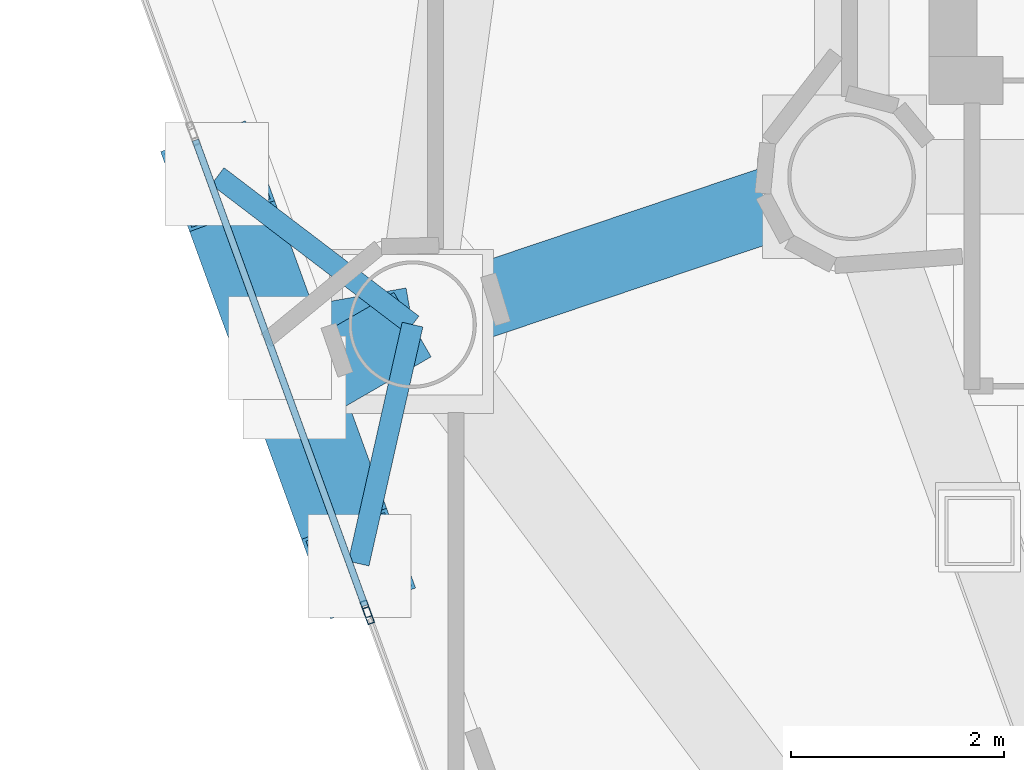
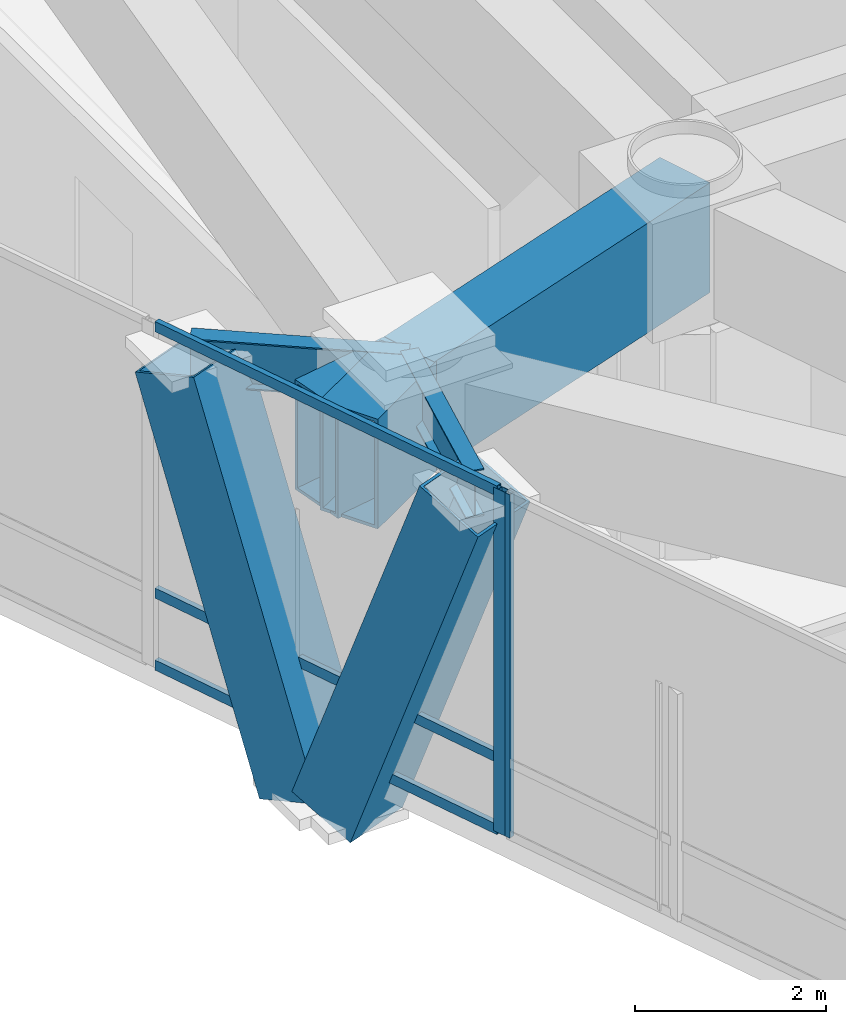
# One storey, part 3 of 20: 7 members, 5 beams, 2 elements without a shape of their own.
"""IFC4 building model written with IfcOpenShell, lengths in metres."""

import ifcopenshell
import ifcopenshell.guid

model = None  # the IFC model being written
_history = None  # IfcOwnerHistory: only IFC2X3 demands one
_inside = {}  # id of a spatial element -> (the spatial element, [elements in it])
_under = {}  # id of a project, library or spatial element -> (it, [spatial elements below it])
_declared = {}  # id of a project -> (the project, [libraries it declares])
_typed = {}  # id of a type object -> (the type object, [elements of that type])
_made_of = {}  # id of a material, layer set ... -> (it, [elements and type objects made of it])


def new_model(schema):
    """Start an empty IFC model of exactly this schema.

    Asked for "IFC4X3", IfcOpenShell would pick the latest addendum, in which some entities
    have other attributes; the version numbers below select the first issue.
    IFC2X3 requires an IfcOwnerHistory on every rooted entity: one is made here for all.
    """
    global model, _history
    if schema == "IFC4X3":
        model = ifcopenshell.file(schema_version=(4, 3, 0, 0))
    else:
        model = ifcopenshell.file(schema=schema)
    _inside.clear()
    _under.clear()
    _declared.clear()
    _typed.clear()
    _made_of.clear()
    _history = None
    if model.schema == "IFC2X3":
        org = make("IfcOrganization", Name="unknown")
        user = make(
            "IfcPersonAndOrganization",
            ThePerson=make("IfcPerson", FamilyName="unknown"),
            TheOrganization=org,
        )
        app = make(
            "IfcApplication",
            ApplicationDeveloper=org,
            Version="unknown",
            ApplicationFullName="unknown",
            ApplicationIdentifier="unknown",
        )
        _history = make(
            "IfcOwnerHistory",
            OwningUser=user,
            OwningApplication=app,
            ChangeAction="ADDED",
            CreationDate=0,
        )
    return model


def make(cls, **values):
    """One entity of the class cls with the attributes given. An attribute that is None is left unset."""
    return model.create_entity(
        cls, **{name: value for name, value in values.items() if value is not None}
    )


def rooted(cls, **values):
    """An entity with a GlobalId (a new one), such as an element, a storey or a relation."""
    return make(cls, GlobalId=ifcopenshell.guid.new(), OwnerHistory=_history, **values)


def si_unit(unit_type, name, prefix=None):
    """IfcSIUnit, for example si_unit("LENGTHUNIT", "METRE", prefix="MILLI")."""
    return make("IfcSIUnit", UnitType=unit_type, Prefix=prefix, Name=name)


def assignment(units):
    """IfcUnitAssignment: the units of a project."""
    return None if units is None else make("IfcUnitAssignment", Units=units)


def point(xyz):
    """IfcCartesianPoint."""
    return None if xyz is None else make("IfcCartesianPoint", Coordinates=xyz)


def direction(xyz):
    """IfcDirection."""
    return None if xyz is None else make("IfcDirection", DirectionRatios=xyz)


def frame(location, z_axis=None, x_axis=None):
    """IfcAxis2Placement3D, a coordinate frame: its origin and axes. An axis left out is left unset."""
    return make(
        "IfcAxis2Placement3D",
        Location=point(location),
        Axis=direction(z_axis),
        RefDirection=direction(x_axis),
    )


def frame_2d(location, x_axis=None):
    """IfcAxis2Placement2D, a coordinate frame in the plane: its origin and x axis."""
    return make(
        "IfcAxis2Placement2D", Location=point(location), RefDirection=direction(x_axis)
    )


def origin():
    """The frame at (0, 0, 0) with its axes left unset."""
    return frame((0.0, 0.0, 0.0))


def origin_2d():
    """The frame at (0, 0) in the plane with its x axis left unset."""
    return frame_2d((0.0, 0.0))


def place(relative_to, where):
    """IfcLocalPlacement: puts the frame where relative to a parent placement (None: the world)."""
    return make(
        "IfcLocalPlacement", PlacementRelTo=relative_to, RelativePlacement=where
    )


def context(
    kind, dimensions, precision=None, world=None, true_north=None, identifier=None
):
    """IfcGeometricRepresentationContext, for example the 3D "Model" context."""
    return make(
        "IfcGeometricRepresentationContext",
        ContextIdentifier=identifier,
        ContextType=kind,
        CoordinateSpaceDimension=dimensions,
        Precision=precision,
        WorldCoordinateSystem=world,
        TrueNorth=true_north,
    )


def subcontext(parent, identifier, kind, view, scale=None):
    """IfcGeometricRepresentationSubContext, for example "Body" below "Model"."""
    return make(
        "IfcGeometricRepresentationSubContext",
        ContextIdentifier=identifier,
        ContextType=kind,
        ParentContext=parent,
        TargetScale=scale,
        TargetView=view,
    )


def project(units=None, contexts=None):
    """IfcProject with its units and contexts."""
    return rooted(
        "IfcProject",
        Name="project",
        RepresentationContexts=contexts,
        UnitsInContext=assignment(units),
    )


def spatial(cls, under=None, at=None, **own):
    """A site, building, storey or space (cls), placed at a placement, below another one or the project."""
    s = rooted(cls, ObjectPlacement=at, **own)
    if under is not None:
        _under.setdefault(under.id(), (under, []))[1].append(s)
    return s


def profile(cls, at=None, kind="AREA", **sizes):
    """A parametric profile (cls). Its sizes go by their IFC names, for example OverallWidth=200.0."""
    return make(cls, ProfileType=kind, Position=at, **sizes)


def hollow_rectangle(**sizes):
    """IfcRectangleHollowProfileDef."""
    return profile("IfcRectangleHollowProfileDef", **sizes)


def i_section(**sizes):
    """IfcIShapeProfileDef."""
    return profile("IfcIShapeProfileDef", **sizes)


def extrude(swept, where, along, depth):
    """IfcExtrudedAreaSolid: the profile swept, set in the frame where, extruded along a direction by depth."""
    return make(
        "IfcExtrudedAreaSolid",
        SweptArea=swept,
        Position=where,
        ExtrudedDirection=direction(along),
        Depth=depth,
    )


def shape(context_of_items, identifier, shape_type, items):
    """IfcShapeRepresentation: the items that make up one representation, for example the "Body"."""
    return make(
        "IfcShapeRepresentation",
        ContextOfItems=context_of_items,
        RepresentationIdentifier=identifier,
        RepresentationType=shape_type,
        Items=items,
    )


def material(Name=None, Category=None):
    """IfcMaterial."""
    return make("IfcMaterial", Name=Name, Category=Category)


def layer(
    of_material, thickness, ventilated=None, Name=None, Category=None, Priority=None
):
    """IfcMaterialLayer: one layer of a wall or slab, of a material (None: an air gap)."""
    return make(
        "IfcMaterialLayer",
        Material=of_material,
        LayerThickness=thickness,
        IsVentilated=ventilated,
        Name=Name,
        Category=Category,
        Priority=Priority,
    )


def layer_set(layers, Name=None):
    """IfcMaterialLayerSet."""
    return make("IfcMaterialLayerSet", MaterialLayers=layers, LayerSetName=Name)


def material_profile(
    of_material, cross_section, Name=None, Category=None, Priority=None
):
    """IfcMaterialProfile: a cross section and its material."""
    return make(
        "IfcMaterialProfile",
        Name=Name,
        Material=of_material,
        Profile=cross_section,
        Priority=Priority,
        Category=Category,
    )


def profile_set(profiles, Name=None, composite=None):
    """IfcMaterialProfileSet."""
    return make(
        "IfcMaterialProfileSet",
        Name=Name,
        MaterialProfiles=profiles,
        CompositeProfile=composite,
    )


def made_of(thing, what):
    """Note that an element or type object is made of a material, layer set ...; save() writes the relation."""
    if what is not None:
        _made_of.setdefault(what.id(), (what, []))[1].append(thing)
    return thing


def type_object(cls, material=None, **own):
    """A type object (cls), such as IfcWallType, which elements share."""
    return made_of(rooted(cls, **own), material)


def element(
    cls,
    number,
    at=None,
    inside=None,
    cuts=None,
    type_object=None,
    material=None,
    context=None,
    identifier="Body",
    shape_type=None,
    held_by="IfcProductDefinitionShape",
    body=None,
    shapes=None,
    **own,
):
    """One element of the class cls, such as IfcWall. Its Tag is "e" and its number.

    at: its placement. inside: the storey or other place that contains it. cuts: it is an
    opening in that element (IfcRelVoidsElement). A single representation is given by context,
    identifier, shape_type and body (its items); several are given by shapes. held_by: the class
    of the entity that holds the representations. save() writes the other relations.
    """
    e = rooted(cls, Tag="e%d" % number, ObjectPlacement=at, **own)
    if body is not None:
        shapes = [shape(context, identifier, shape_type, body)]
    if shapes is not None:
        e.Representation = make(held_by, Representations=shapes)
    if inside is not None:
        _inside.setdefault(inside.id(), (inside, []))[1].append(e)
    if cuts is not None:
        rooted(
            "IfcRelVoidsElement", RelatingBuildingElement=cuts, RelatedOpeningElement=e
        )
    if type_object is not None:
        _typed.setdefault(type_object.id(), (type_object, []))[1].append(e)
    return made_of(e, material)


def aggregate(whole, parts):
    """IfcRelAggregates: a whole, such as a stair, and the parts it consists of."""
    return rooted("IfcRelAggregates", RelatingObject=whole, RelatedObjects=parts)


def save(model, path):
    """Write the relations noted so far, then the file.

    IfcRelAggregates (storeys below a building ...), IfcRelContainedInSpatialStructure (elements
    in a storey), IfcRelDefinesByType, IfcRelAssociatesMaterial and IfcRelDeclares: one each for
    every whole, place, type object, material and project.
    """
    for whole, parts in _under.values():
        aggregate(whole, parts)
    for where, things in _inside.values():
        rooted(
            "IfcRelContainedInSpatialStructure",
            RelatedElements=things,
            RelatingStructure=where,
        )
    for kind, things in _typed.values():
        rooted("IfcRelDefinesByType", RelatedObjects=things, RelatingType=kind)
    for what, things in _made_of.values():
        rooted("IfcRelAssociatesMaterial", RelatedObjects=things, RelatingMaterial=what)
    for by, libraries in _declared.values():
        rooted("IfcRelDeclares", RelatingContext=by, RelatedDefinitions=libraries)
    model.write(path)


model = new_model("IFC4")

# Units and contexts
model_context = context("Model", 3, precision=1e-05, world=origin(), true_north=direction((0.0, 1.0)))
body_context = subcontext(model_context, "Body", "Model", "MODEL_VIEW")
ifc_project = project(units=[si_unit("LENGTHUNIT", "METRE"), si_unit("AREAUNIT", "SQUARE_METRE"), si_unit("VOLUMEUNIT", "CUBIC_METRE"), si_unit("PLANEANGLEUNIT", "RADIAN"), si_unit("MASSUNIT", "GRAM", prefix="KILO")], contexts=[model_context])

# Site, building, storey
site_placement = place(None, origin())
site = spatial("IfcSite", under=ifc_project, at=site_placement, CompositionType="ELEMENT")
building_placement = place(site_placement, origin())
building = spatial("IfcBuilding", under=site, at=building_placement, Name="Qianvela Tower", CompositionType="ELEMENT")
storey_placement = place(building_placement, frame((0.0, 0.0, 229.89990234375)))
storey = spatial("IfcBuildingStorey", under=building, at=storey_placement, Name="L59", CompositionType="ELEMENT", Elevation=229.89990234375)

# Beams
ifc_material_1 = material(Name="Steel Q355B", Category="steel")
ifc_material_profile_1 = material_profile(ifc_material_1, i_section(OverallWidth=0.199951171875, OverallDepth=0.60009765625, WebThickness=0.010986328125, FlangeThickness=0.01708984375, at=origin_2d()), Name="HN600x200x11x17")
ifc_profile_set_1 = profile_set([ifc_material_profile_1], Name="Steel Q355B")
beam_type_1 = type_object("IfcBeamType", Name="BM-HN600-GIRD", PredefinedType="BEAM", material=ifc_profile_set_1)
beam_1_placement = place(storey_placement, frame((24.471923828125, 22.4599609375, 4.078125), z_axis=(-0.795604398122, 0.605816508267, 0.0), x_axis=(-0.605816508267, -0.795604398122, 0.0)))
element("IfcBeam", 1, at=beam_1_placement, inside=storey, type_object=beam_type_1, Name="L59 Mega-Brace Column Tie Bracket F2-1", PredefinedType="BEAM", context=body_context, shape_type="SweptSolid", body=[
    extrude(i_section(OverallWidth=0.199951171875, OverallDepth=0.60009765625, WebThickness=0.010986328125, FlangeThickness=0.01708984375, at=origin_2d()), origin(), (0.0, 0.0, 1.0), 2.303955078125),
])
beam_2_placement = place(storey_placement, frame((24.471923828125, 22.4599609375, 4.078125), z_axis=(-0.220003900881, -0.975498992105, 0.0), x_axis=(0.975498992105, -0.220003900881, 0.0)))
element("IfcBeam", 2, at=beam_2_placement, inside=storey, type_object=beam_type_1, Name="L59 Mega-Brace Column Tie Bracket F2-2", PredefinedType="BEAM", context=body_context, shape_type="SweptSolid", body=[
    extrude(i_section(OverallWidth=0.199951171875, OverallDepth=0.60009765625, WebThickness=0.010986328125, FlangeThickness=0.01708984375, at=origin_2d()), origin(), (0.0, 0.0, 1.0), 2.3037109375),
])
ifc_material_2 = material(Name="Steel Q420GJC", Category="steel")
ifc_material_profile_2 = material_profile(ifc_material_2, hollow_rectangle(XDim=0.699951171875, YDim=1.39990234375, WallThickness=0.0400390625, at=origin_2d()), Name="TG-BOX-1400x700x40")
ifc_profile_set_2 = profile_set([ifc_material_profile_2], Name="Steel Q420GJC")
beam_type_2 = type_object("IfcBeamType", Name="BM-TG-RAD-1400", PredefinedType="BEAM", material=ifc_profile_set_2)
beam_3_placement = place(storey_placement, frame((28.60009765625, 23.85009765625, 3.677978515625), z_axis=(-0.947709214586, -0.319135150976, 0.0), x_axis=(0.319135150976, -0.947709214586, 0.0)))
element("IfcBeam", 3, at=beam_3_placement, inside=storey, type_object=beam_type_2, Name="L59 Radial Outrigger Top Transfer Girder 4", PredefinedType="BEAM", context=body_context, shape_type="SweptSolid", body=[
    extrude(hollow_rectangle(XDim=0.699951171875, YDim=1.39990234375, WallThickness=0.0400390625, at=origin_2d()), origin(), (0.0, 0.0, 1.0), 4.35595703125),
])
ifc_material_3 = material(Name="Steel Q420GJC", Category="steel")
ifc_material_profile_3 = material_profile(ifc_material_3, hollow_rectangle(XDim=0.699951171875, YDim=1.39990234375, WallThickness=0.0400390625, at=origin_2d()), Name="TG-BOX-1400x700x40")
ifc_profile_set_3 = profile_set([ifc_material_profile_3], Name="Steel Q420GJC")
beam_type_3 = type_object("IfcBeamType", Name="BM-TG-STEP-1400", PredefinedType="BEAM", material=ifc_profile_set_3)
beam_4_placement = place(storey_placement, frame((24.471923828125, 22.4599609375, 3.675048828125), z_axis=(-0.984882547794, -0.173223459877, 0.0), x_axis=(0.173223459877, -0.984882547794, 0.0)))
element("IfcBeam", 4, at=beam_4_placement, inside=storey, type_object=beam_type_3, Name="L59 Mega-Brace Zone Base Bracket F2-1", PredefinedType="BEAM", context=body_context, shape_type="SweptSolid", body=[
    extrude(hollow_rectangle(XDim=0.699951171875, YDim=1.39990234375, WallThickness=0.0400390625, at=origin_2d()), origin(), (0.0, 0.0, 1.0), 1.26416015625),
])
beam_5_placement = place(storey_placement, frame((24.471923828125, 22.4599609375, 3.675048828125), z_axis=(-0.86584462617, -0.500312985372, 0.0), x_axis=(0.500312985372, -0.86584462617, 0.0)))
element("IfcBeam", 5, at=beam_5_placement, inside=storey, type_object=beam_type_3, Name="L59 Mega-Brace Zone Base Bracket F2-2", PredefinedType="BEAM", context=body_context, shape_type="SweptSolid", body=[
    extrude(hollow_rectangle(XDim=0.699951171875, YDim=1.39990234375, WallThickness=0.0400390625, at=origin_2d()), origin(), (0.0, 0.0, 1.0), 1.264404296875),
])

# Curtain wall, members
ifc_material_4 = material(Name="Anodised Architectural Aluminium and Insulated Spandrel Panel", Category="aluminium")
ifc_layer_1 = layer(ifc_material_4, 0.179931640625)
ifc_layer_set_1 = layer_set([ifc_layer_1], Name="Anodised Architectural Aluminium and Insulated Spandrel Panel")
curtain_wall_type_1 = type_object("IfcCurtainWallType", Name="CW-BRACEBAY", PredefinedType="USERDEFINED", material=ifc_layer_set_1)
curtain_wall_1_placement = place(storey_placement, origin())
curtain_wall_1 = element("IfcCurtainWall", 6, at=curtain_wall_1_placement, inside=storey, type_object=curtain_wall_type_1, Name="L59 CW-BRACEBAY Curtain Wall 04B", ObjectType="CURTAIN_WALL_SYSTEM", PredefinedType="USERDEFINED")
ifc_material_5 = material(Name="Anodised Architectural Aluminium 6063-T6", Category="aluminium")
ifc_material_profile_4 = material_profile(ifc_material_5, hollow_rectangle(XDim=0.06494140625, YDim=0.159912109375, WallThickness=0.0048828125, at=origin_2d()), Name="ALU-MULL-65x160")
ifc_profile_set_4 = profile_set([ifc_material_profile_4], Name="Anodised Architectural Aluminium 6063-T6")
member_type_1 = type_object("IfcMemberType", Name="CW-BRACEBAY-MULL", PredefinedType="MULLION", material=ifc_profile_set_4)
member_1_placement = place(storey_placement, frame((24.035400390625, 19.78564453125, 0.0), z_axis=(0.0, 0.0, 1.0), x_axis=(0.939690367743, 0.342026333446, 0.0)))
member_1 = element("IfcMember", 7, at=member_1_placement, type_object=member_type_1, Name="CW-9 mullion 2", PredefinedType="MULLION", context=body_context, shape_type="SweptSolid", body=[
    extrude(hollow_rectangle(XDim=0.06494140625, YDim=0.159912109375, WallThickness=0.0048828125, at=origin_2d()), origin(), (0.0, 0.0, 1.0), 4.380126953125),
])
ifc_material_6 = material(Name="Anodised Architectural Aluminium 6063-T6", Category="aluminium")
ifc_material_profile_5 = material_profile(ifc_material_6, hollow_rectangle(XDim=0.06494140625, YDim=0.1298828125, WallThickness=0.00439453125, at=origin_2d()), Name="ALU-TRAN-65x130")
ifc_profile_set_5 = profile_set([ifc_material_profile_5], Name="Anodised Architectural Aluminium 6063-T6")
member_type_2 = type_object("IfcMemberType", Name="CW-BRACEBAY-TRAN", PredefinedType="USERDEFINED", material=ifc_profile_set_5)
member_2_placement = place(storey_placement, frame((22.430419921875, 24.1953125, 0.03271484375), z_axis=(0.341995435759, -0.939701613237, 0.0), x_axis=(0.939701613237, 0.341995435759, 0.0)))
member_2 = element("IfcMember", 8, at=member_2_placement, type_object=member_type_2, Name="CW-9 transom 1.1", ObjectType="TRANSOM", PredefinedType="USERDEFINED", context=body_context, shape_type="SweptSolid", body=[
    extrude(hollow_rectangle(XDim=0.06494140625, YDim=0.1298828125, WallThickness=0.00439453125, at=origin_2d()), origin(), (0.0, 0.0, 1.0), 4.66015625),
])
member_3_placement = place(storey_placement, frame((22.430419921875, 24.1953125, 0.9501953125), z_axis=(0.341995435759, -0.939701613237, 0.0), x_axis=(0.939701613237, 0.341995435759, 0.0)))
member_3 = element("IfcMember", 9, at=member_3_placement, type_object=member_type_2, Name="CW-9 transom 1.2", ObjectType="TRANSOM", PredefinedType="USERDEFINED", context=body_context, shape_type="SweptSolid", body=[
    extrude(hollow_rectangle(XDim=0.06494140625, YDim=0.1298828125, WallThickness=0.00439453125, at=origin_2d()), origin(), (0.0, 0.0, 1.0), 4.66015625),
])
member_4_placement = place(storey_placement, frame((22.430419921875, 24.1953125, 4.34765625), z_axis=(0.341995435759, -0.939701613237, 0.0), x_axis=(0.939701613237, 0.341995435759, 0.0)))
member_4 = element("IfcMember", 10, at=member_4_placement, type_object=member_type_2, Name="CW-9 transom 1.3", ObjectType="TRANSOM", PredefinedType="USERDEFINED", context=body_context, shape_type="SweptSolid", body=[
    extrude(hollow_rectangle(XDim=0.06494140625, YDim=0.1298828125, WallThickness=0.00439453125, at=origin_2d()), origin(), (0.0, 0.0, 1.0), 4.66015625),
])
aggregate(curtain_wall_1, [member_1, member_2, member_3, member_4])

# Curtain wall, member
ifc_material_7 = material(Name="Anodised Architectural Aluminium and Low-E Glass", Category="aluminium")
ifc_layer_2 = layer(ifc_material_7, 0.159912109375)
ifc_layer_set_2 = layer_set([ifc_layer_2], Name="Anodised Architectural Aluminium and Low-E Glass")
curtain_wall_type_2 = type_object("IfcCurtainWallType", Name="CW-COLIV-Z56", PredefinedType="USERDEFINED", material=ifc_layer_set_2)
curtain_wall_2_placement = place(storey_placement, origin())
curtain_wall_2 = element("IfcCurtainWall", 11, at=curtain_wall_2_placement, inside=storey, type_object=curtain_wall_type_2, Name="L59 CW-COLIV-Z56 Curtain Wall 04C", ObjectType="CURTAIN_WALL_SYSTEM", PredefinedType="USERDEFINED")
ifc_material_8 = material(Name="Anodised Architectural Aluminium 6063-T6", Category="aluminium")
ifc_material_profile_6 = material_profile(ifc_material_8, hollow_rectangle(XDim=0.06494140625, YDim=0.159912109375, WallThickness=0.0048828125, at=origin_2d()), Name="ALU-MULL-65x160")
ifc_profile_set_6 = profile_set([ifc_material_profile_6], Name="Anodised Architectural Aluminium 6063-T6")
member_type_3 = type_object("IfcMemberType", Name="CW-COLIV-Z56-MULL", PredefinedType="MULLION", material=ifc_profile_set_6)
member_5_placement = place(storey_placement, frame((24.0576171875, 19.724609375, 0.0), z_axis=(0.0, 0.0, 1.0), x_axis=(0.939693762699, 0.34201700593, 0.0)))
member_5 = element("IfcMember", 12, at=member_5_placement, type_object=member_type_3, Name="CW-5 mullion 1", PredefinedType="MULLION", context=body_context, shape_type="SweptSolid", body=[
    extrude(hollow_rectangle(XDim=0.06494140625, YDim=0.159912109375, WallThickness=0.0048828125, at=origin_2d()), origin(), (0.0, 0.0, 1.0), 4.380126953125),
])
aggregate(curtain_wall_2, [member_5])

# Members
ifc_material_9 = material(Name="Steel Q420GJC", Category="steel")
ifc_material_profile_7 = material_profile(ifc_material_9, hollow_rectangle(XDim=0.85009765625, YDim=0.85009765625, WallThickness=0.031982421875, at=origin_2d()), Name="MBOX-850x850x32")
ifc_profile_set_7 = profile_set([ifc_material_profile_7], Name="Steel Q420GJC")
member_type_4 = type_object("IfcMemberType", Name="MBR-MBRACE-850", PredefinedType="BRACE", material=ifc_profile_set_7)
member_6_placement = place(storey_placement, frame((23.219482421875, 22.260986328125, -0.601806640625), z_axis=(-0.116622940132, 0.320345267008, 0.940094675945), x_axis=(-0.939667354356, -0.342089554295, 0.0)))
element("IfcMember", 13, at=member_6_placement, inside=storey, type_object=member_type_4, Name="L59 Tier 10 Exterior Mega-Brace F2A", PredefinedType="BRACE", context=body_context, shape_type="SweptSolid", body=[
    extrude(hollow_rectangle(XDim=0.85009765625, YDim=0.85009765625, WallThickness=0.031982421875, at=origin_2d()), origin(), (0.0, 0.0, 1.0), 4.97802734375),
])
member_7_placement = place(storey_placement, frame((23.369873046875, 21.84765625, -0.601806640625), z_axis=(0.119211658621, -0.327465331331, 0.937312667804), x_axis=(0.939670461562, 0.342081019156, 0.0)))
element("IfcMember", 14, at=member_7_placement, inside=storey, type_object=member_type_4, Name="L59 Tier 10 Exterior Mega-Brace F2B", PredefinedType="BRACE", context=body_context, shape_type="SweptSolid", body=[
    extrude(hollow_rectangle(XDim=0.85009765625, YDim=0.85009765625, WallThickness=0.031982421875, at=origin_2d()), origin(), (0.0, 0.0, 1.0), 4.992919921875),
])

save(model, "model.ifc")
